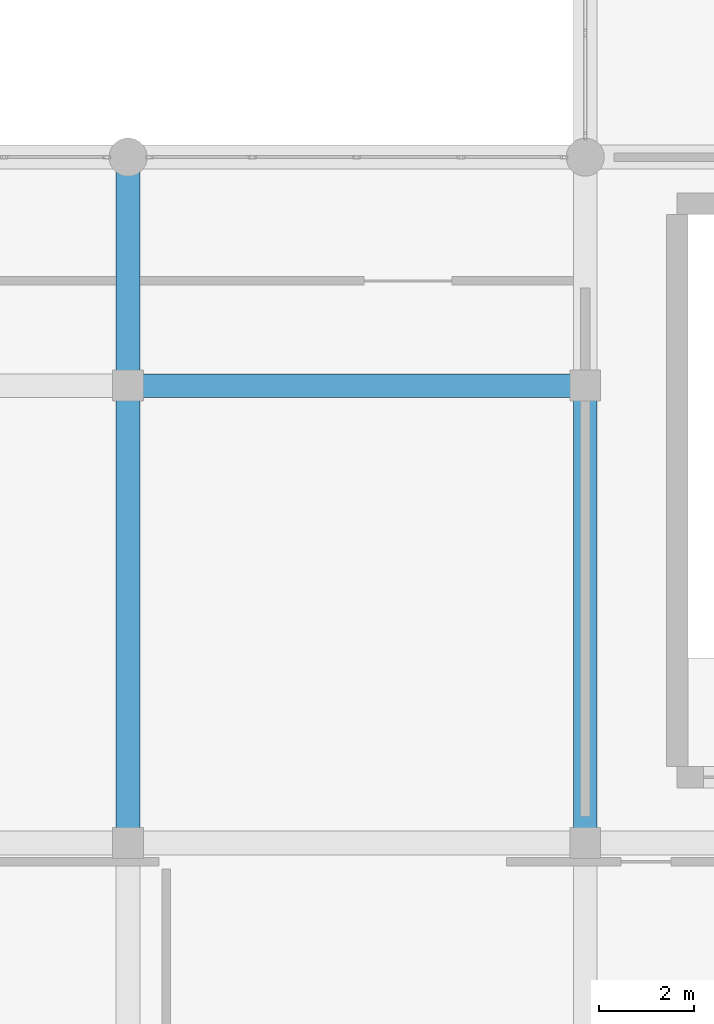
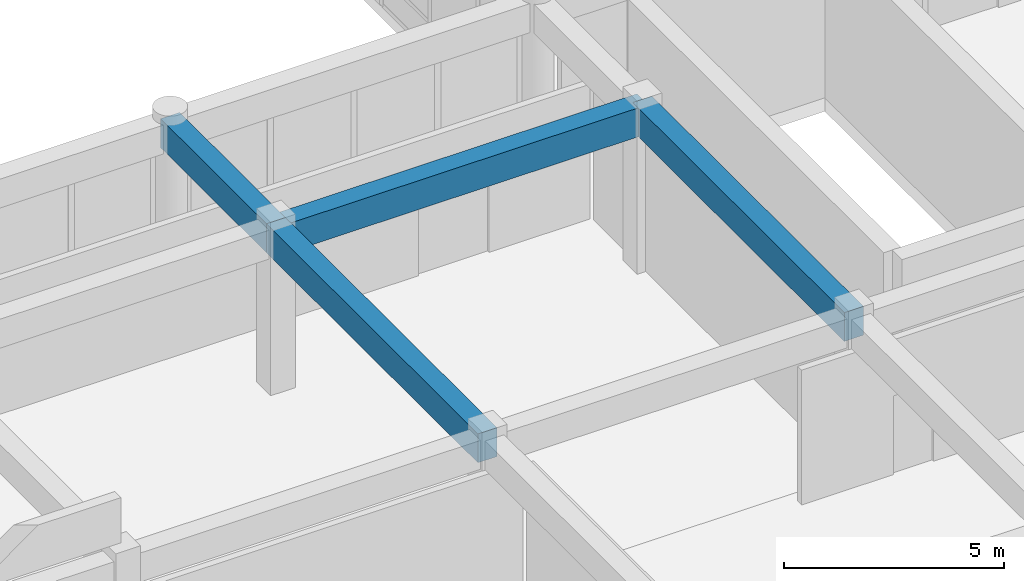
# One storey, part 13 of 101: 4 beams.
"""IFC4 building model written with IfcOpenShell, lengths in metres."""

from ifc_helpers import new_model, si_unit, direction, frame, origin, origin_2d, place, context, subcontext, project, spatial, rectangle, extrude, material, material_profile, profile_set, type_object, element, save


model = new_model("IFC4")

# Units and contexts
model_context = context("Model", 3, precision=1e-05, world=origin(), true_north=direction((0.0, 1.0)))
body_context = subcontext(model_context, "Body", "Model", "MODEL_VIEW")
ifc_project = project(units=[si_unit("LENGTHUNIT", "METRE"), si_unit("AREAUNIT", "SQUARE_METRE"), si_unit("VOLUMEUNIT", "CUBIC_METRE"), si_unit("PLANEANGLEUNIT", "RADIAN"), si_unit("MASSUNIT", "GRAM", prefix="KILO")], contexts=[model_context])

# Site, building, storey
site_placement = place(None, origin())
site = spatial("IfcSite", under=ifc_project, at=site_placement, CompositionType="ELEMENT")
building_placement = place(site_placement, origin())
building = spatial("IfcBuilding", under=site, at=building_placement, Name="Nakhvara Creek Congress Hotel", CompositionType="ELEMENT")
storey_placement = place(building_placement, frame((0.0, 0.0, 16.199951171875)))
storey = spatial("IfcBuildingStorey", under=building, at=storey_placement, Name="L03", CompositionType="ELEMENT", Elevation=16.199951171875)

# Beams
ifc_material = material(Name="Concrete C40/50", Category="concrete")
ifc_material_profile = material_profile(ifc_material, rectangle(XDim=0.5, YDim=0.800048828125, at=origin_2d()), Name="RC-BM 500x800", Category="LoadBearing")
ifc_profile_set = profile_set([ifc_material_profile], Name="Concrete C40/50")
beam_type = type_object("IfcBeamType", Name="BM-RC-500X800", PredefinedType="BEAM", material=ifc_profile_set)
beam_1_placement = place(storey_placement, frame((115.199951171875, 28.800048828125, 4.14013671875), z_axis=(0.0, 1.0, 0.0), x_axis=(-1.0, 0.0, 0.0)))
element("IfcBeam", 1, at=beam_1_placement, inside=storey, type_object=beam_type, Name="Beam B03-L03-1755", PredefinedType="BEAM", context=body_context, shape_type="SweptSolid", body=[
    extrude(rectangle(XDim=0.5, YDim=0.800048828125, at=origin_2d()), origin(), (0.0, 0.0, 1.0), 9.599853515625),
])
beam_2_placement = place(storey_placement, frame((115.199951171875, 38.39990234375, 4.14013671875), z_axis=(0.0, 1.0, 0.0), x_axis=(-1.0, 0.0, 0.0)))
element("IfcBeam", 2, at=beam_2_placement, inside=storey, type_object=beam_type, Name="Beam B03-L03-1757", PredefinedType="BEAM", context=body_context, shape_type="SweptSolid", body=[
    extrude(rectangle(XDim=0.5, YDim=0.800048828125, at=origin_2d()), origin(), (0.0, 0.0, 1.0), 4.800048828125),
])
beam_3_placement = place(storey_placement, frame((115.199951171875, 38.39990234375, 4.14013671875), z_axis=(1.0, 0.0, 0.0), x_axis=(0.0, 1.0, 0.0)))
element("IfcBeam", 3, at=beam_3_placement, inside=storey, type_object=beam_type, Name="Beam B03-L03-1758", PredefinedType="BEAM", context=body_context, shape_type="SweptSolid", body=[
    extrude(rectangle(XDim=0.5, YDim=0.800048828125, at=origin_2d()), origin(), (0.0, 0.0, 1.0), 9.60009765625),
])
beam_4_placement = place(storey_placement, frame((124.800048828125, 28.800048828125, 4.14013671875), z_axis=(0.0, 1.0, 0.0), x_axis=(-1.0, 0.0, 0.0)))
element("IfcBeam", 4, at=beam_4_placement, inside=storey, type_object=beam_type, Name="Beam B03-L03-1770", PredefinedType="BEAM", context=body_context, shape_type="SweptSolid", body=[
    extrude(rectangle(XDim=0.5, YDim=0.800048828125, at=origin_2d()), origin(), (0.0, 0.0, 1.0), 9.599853515625),
])

save(model, "model.ifc")
